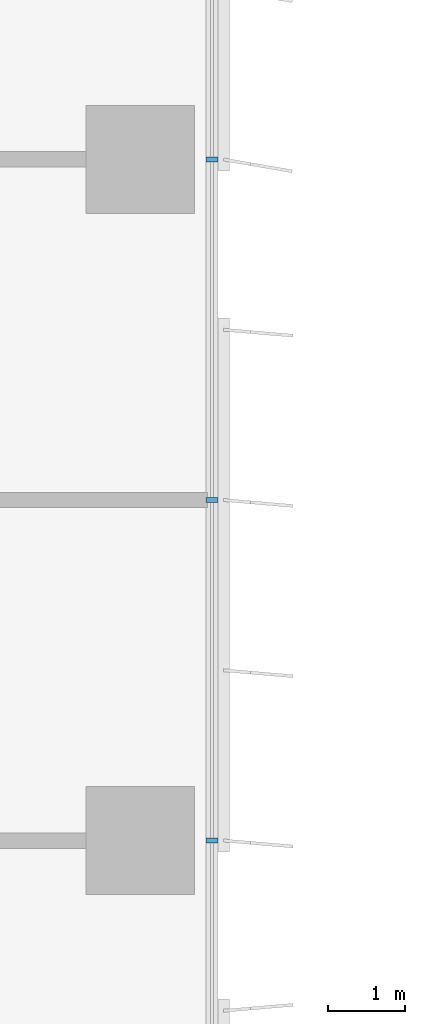
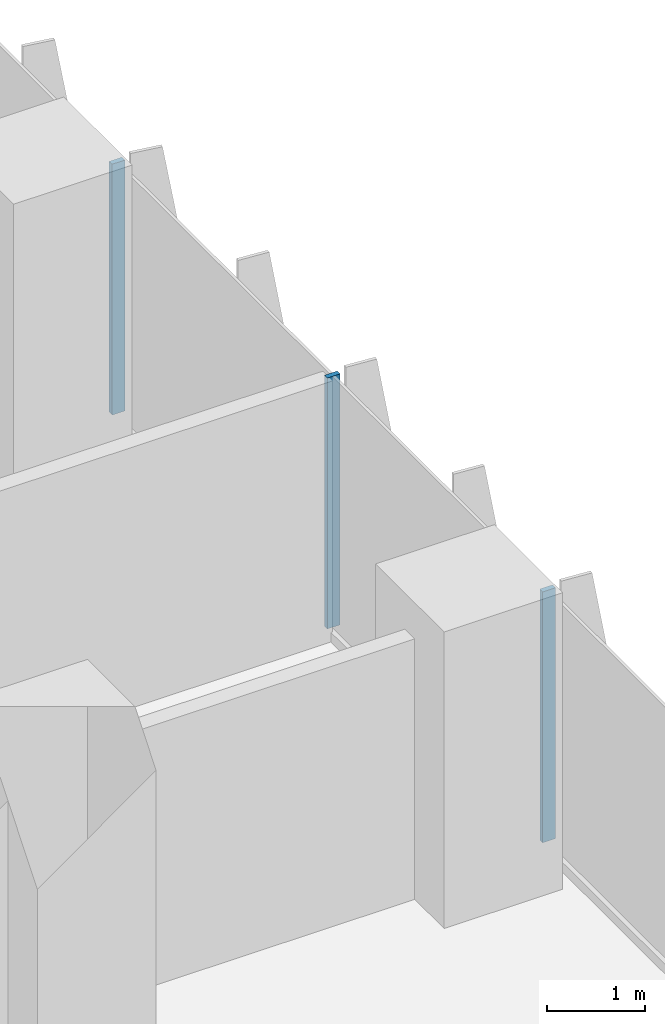
# One storey, part 7 of 23: 3 members, 1 element without a shape of its own.
"""IFC4 building model written with IfcOpenShell, lengths in metres."""

from ifc_helpers import new_model, si_unit, direction, frame, origin, origin_2d, place, context, subcontext, project, spatial, rectangle, extrude, source, transform, mapped, material, material_profile, profile_set, type_object, element, aggregate, save


model = new_model("IFC4")

# Units and contexts
model_context = context("Model", 3, precision=1e-05, world=origin(), true_north=direction((0.0, 1.0)))
body_context = subcontext(model_context, "Body", "Model", "MODEL_VIEW")
ifc_project = project(units=[si_unit("LENGTHUNIT", "METRE"), si_unit("AREAUNIT", "SQUARE_METRE"), si_unit("VOLUMEUNIT", "CUBIC_METRE"), si_unit("PLANEANGLEUNIT", "RADIAN"), si_unit("MASSUNIT", "GRAM", prefix="KILO")], contexts=[model_context])

# Site, building, storey
site_placement = place(None, origin())
site = spatial("IfcSite", under=ifc_project, at=site_placement, CompositionType="ELEMENT")
building_placement = place(site_placement, origin())
building = spatial("IfcBuilding", under=site, at=building_placement, Name="Kemantara Hotel Tower", CompositionType="ELEMENT")
storey_placement = place(building_placement, frame((0.0, 0.0, 67.300048828125)))
storey = spatial("IfcBuildingStorey", under=building, at=storey_placement, Name="L15", CompositionType="ELEMENT", Elevation=67.300048828125)

# Curtain wall, members
ifc_material_1 = material(Name="Low-E tinted double insulated glass 36 mm", Category="glass")
curtain_wall_type = type_object("IfcCurtainWallType", Name="TOWER CURTAIN WALL, FRONT FACES", PredefinedType="USERDEFINED", material=ifc_material_1)
curtain_wall_placement = place(storey_placement, origin())
curtain_wall = element("IfcCurtainWall", 1, at=curtain_wall_placement, inside=storey, type_object=curtain_wall_type, Name="CW4 L15 T1-R08-1", ObjectType="TOWER CURTAIN WALL, FRONT FACES", PredefinedType="USERDEFINED")
ifc_material_2 = material(Name="Aluminium 6063-T6 bronze anodised", Category="aluminium")
ifc_material_profile = material_profile(ifc_material_2, rectangle(XDim=0.14990234375, YDim=0.06005859375, at=origin_2d()), Name="TOWER CURTAIN WALL, FRONT FACES MULLION")
ifc_profile_set = profile_set([ifc_material_profile], Name="Aluminium 6063-T6 bronze anodised")
member_type = type_object("IfcMemberType", Name="TOWER CURTAIN WALL, FRONT FACES MULLION", PredefinedType="MULLION", material=ifc_profile_set)
shared_shape = source(origin(), body_context, "Body", "SweptSolid", [
    extrude(rectangle(XDim=0.14990234375, YDim=0.06005859375, at=origin_2d()), origin(), (0.0, 0.0, 1.0), 3.130126953125),
])
member_1_placement = place(storey_placement, frame((26.72509765625, 53.800048828125, 0.119873046875), z_axis=(0.0, 0.0, 1.0), x_axis=(-1.0, 0.0, 0.0)))
member_1 = element("IfcMember", 2, at=member_1_placement, type_object=member_type, Name="CW4 mullion T1-R08-1.8", PredefinedType="MULLION", context=body_context, shape_type="MappedRepresentation", body=[
    mapped(shared_shape, transform((0.0, 0.0, 0.0))),
])
member_2_placement = place(storey_placement, frame((26.72509765625, 58.199951171875, 0.119873046875), z_axis=(0.0, 0.0, 1.0), x_axis=(-1.0, 0.0, 0.0)))
member_2 = element("IfcMember", 3, at=member_2_placement, type_object=member_type, Name="CW4 mullion T1-R08-1.9", PredefinedType="MULLION", context=body_context, shape_type="MappedRepresentation", body=[
    mapped(shared_shape, transform((0.0, 0.0, 0.0))),
])
member_3_placement = place(storey_placement, frame((26.72509765625, 62.60009765625, 0.119873046875), z_axis=(0.0, 0.0, 1.0), x_axis=(-1.0, 0.0, 0.0)))
member_3 = element("IfcMember", 4, at=member_3_placement, type_object=member_type, Name="CW4 mullion T1-R08-1.10", PredefinedType="MULLION", context=body_context, shape_type="MappedRepresentation", body=[
    mapped(shared_shape, transform((0.0, 0.0, 0.0))),
])
aggregate(curtain_wall, [member_1, member_2, member_3])

save(model, "model.ifc")
